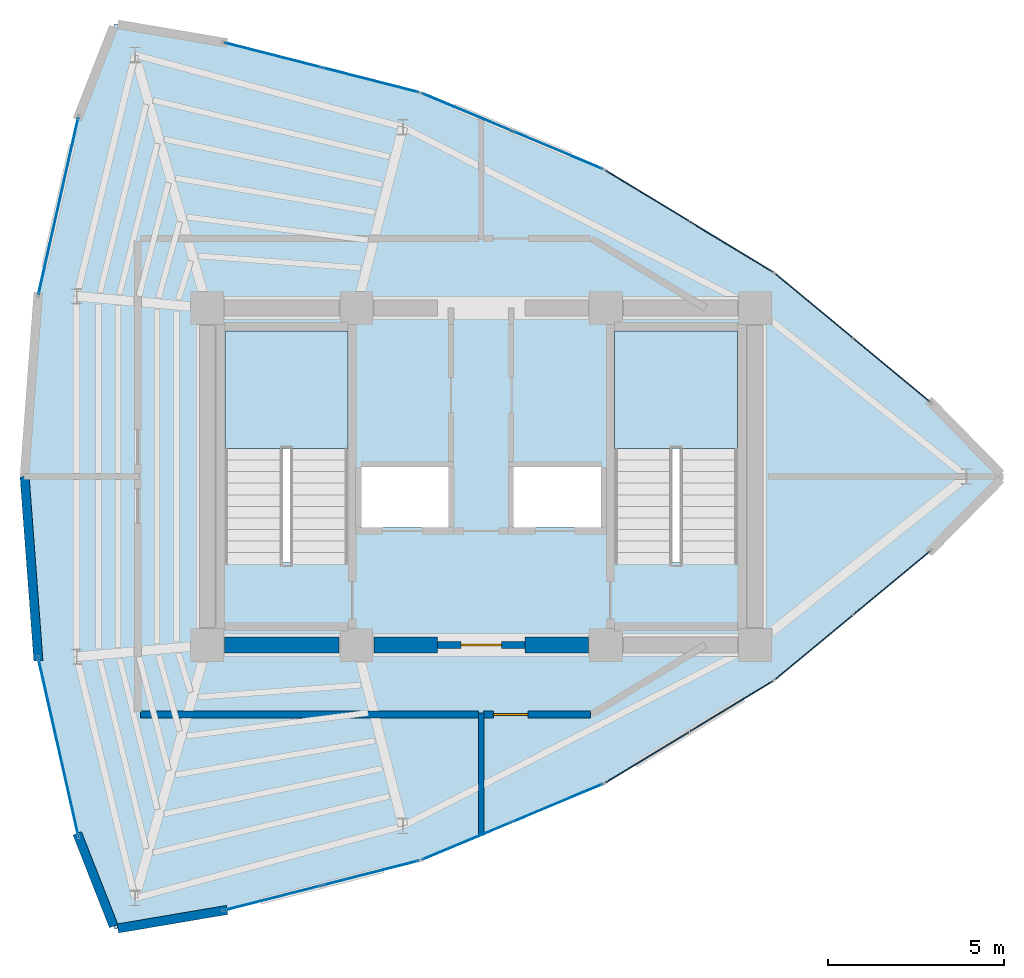
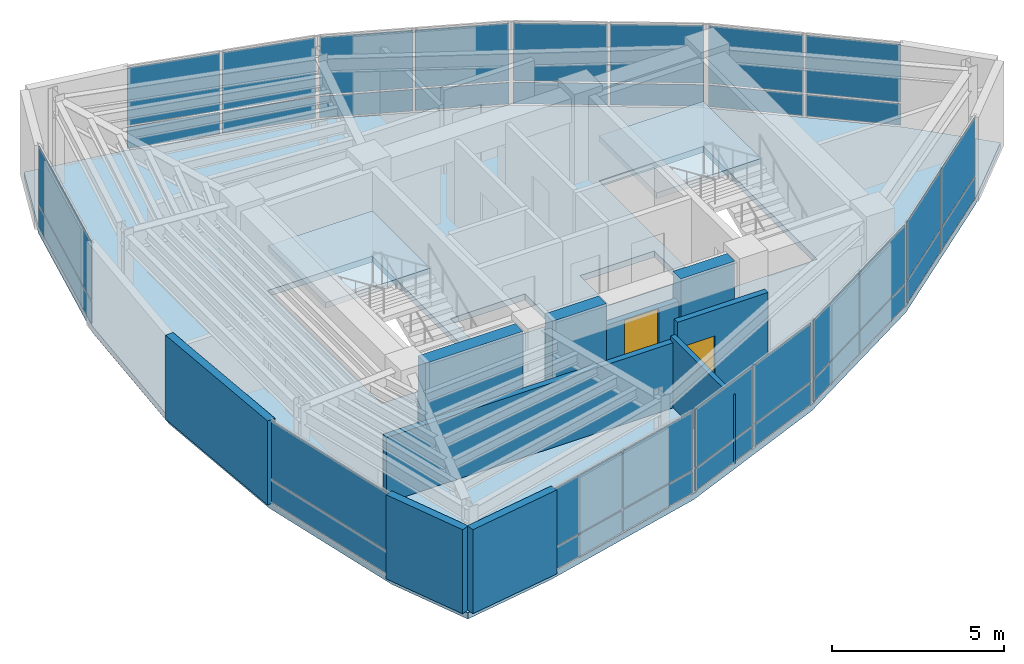
# One storey, part 11 of 14: 36 plates, 10 walls, 3 slabs, 2 doors, 2 openings, 12 elements without a shape of their own.
"""IFC4 building model written with IfcOpenShell, lengths in metres."""

from ifc_helpers import new_model, si_unit, direction, frame, frame_2d, origin, origin_2d, place, context, subcontext, project, spatial, polyline, rectangle, outline, extrude, material, layer, layer_set, type_object, element, fill, aggregate, save


model = new_model("IFC4")

# Units and contexts
model_context = context("Model", 3, precision=1e-05, world=origin(), true_north=direction((0.0, 1.0)))
body_context = subcontext(model_context, "Body", "Model", "MODEL_VIEW")
ifc_project = project(units=[si_unit("LENGTHUNIT", "METRE"), si_unit("AREAUNIT", "SQUARE_METRE"), si_unit("VOLUMEUNIT", "CUBIC_METRE"), si_unit("PLANEANGLEUNIT", "RADIAN"), si_unit("MASSUNIT", "GRAM", prefix="KILO")], contexts=[model_context])

# Site, building, storey
site_placement = place(None, origin())
site = spatial("IfcSite", under=ifc_project, at=site_placement, CompositionType="ELEMENT")
building_placement = place(site_placement, origin())
building = spatial("IfcBuilding", under=site, at=building_placement, Name="Menara Vayukalpa", CompositionType="ELEMENT")
storey_placement = place(building_placement, frame((0.0, 0.0, 302.419921875)))
storey = spatial("IfcBuildingStorey", under=building, at=storey_placement, Name="L77", CompositionType="ELEMENT", Elevation=302.419921875)

# Curtain wall, plates
ifc_material_1 = material(Name="Anodised Terracotta Aluminium Alloy 6063-T6", Category="masonry")
ifc_layer_1 = layer(ifc_material_1, 0.14990234375)
ifc_layer_set_1 = layer_set([ifc_layer_1], Name="Anodised Terracotta Aluminium Alloy 6063-T6")
curtain_wall_type = type_object("IfcCurtainWallType", Name="CW-CW7", PredefinedType="USERDEFINED", material=ifc_layer_set_1)
curtain_wall_1_placement = place(storey_placement, origin())
curtain_wall_1 = element("IfcCurtainWall", 1, at=curtain_wall_1_placement, inside=storey, type_object=curtain_wall_type, Name="L77 Crown Drum Screened Curtain Wall CW7 03", ObjectType="UNITISED", PredefinedType="USERDEFINED")
ifc_material_2 = material(Name="Low-E Double Glazing", Category="glass")
ifc_layer_2 = layer(ifc_material_2, 0.02587890625)
ifc_layer_set_2 = layer_set([ifc_layer_2], Name="Low-E Double Glazing")
plate_type = type_object("IfcPlateType", Name="CWP-CW7", PredefinedType="CURTAIN_PANEL", material=ifc_layer_set_2)
plate_1_placement = place(storey_placement, frame((37.28271484375, 25.031982421875, 0.06005859375), z_axis=(0.0, 0.0, 1.0), x_axis=(-0.7697490702, 0.63834658997, 0.0)))
plate_1 = element("IfcPlate", 2, at=plate_1_placement, type_object=plate_type, Name="CW7 panel 1.1", PredefinedType="CURTAIN_PANEL", context=body_context, shape_type="SweptSolid", body=[
    extrude(rectangle(XDim=2.80078125, YDim=0.02587890625, at=origin_2d()), origin(), (0.0, 0.0, 1.0), 0.760009765625),
])
plate_2_placement = place(storey_placement, frame((37.28271484375, 25.031982421875, 0.880126953125), z_axis=(0.0, 0.0, 1.0), x_axis=(-0.7697490702, 0.63834658997, 0.0)))
plate_2 = element("IfcPlate", 3, at=plate_2_placement, type_object=plate_type, Name="CW7 panel 1.2", PredefinedType="CURTAIN_PANEL", context=body_context, shape_type="SweptSolid", body=[
    extrude(rectangle(XDim=2.80078125, YDim=0.02587890625, at=origin_2d()), origin(), (0.0, 0.0, 1.0), 2.0400390625),
])
plate_3_placement = place(storey_placement, frame((35.07666015625, 26.861328125, 0.06005859375), z_axis=(0.0, 0.0, 1.0), x_axis=(-0.7697490702, 0.63834658997, 0.0)))
plate_3 = element("IfcPlate", 4, at=plate_3_placement, type_object=plate_type, Name="CW7 panel 2.1", PredefinedType="CURTAIN_PANEL", context=body_context, shape_type="SweptSolid", body=[
    extrude(rectangle(XDim=2.80078125, YDim=0.02587890625, at=origin_2d()), origin(), (0.0, 0.0, 1.0), 0.760009765625),
])
plate_4_placement = place(storey_placement, frame((35.07666015625, 26.861328125, 0.880126953125), z_axis=(0.0, 0.0, 1.0), x_axis=(-0.7697490702, 0.63834658997, 0.0)))
plate_4 = element("IfcPlate", 5, at=plate_4_placement, type_object=plate_type, Name="CW7 panel 2.2", PredefinedType="CURTAIN_PANEL", context=body_context, shape_type="SweptSolid", body=[
    extrude(rectangle(XDim=2.80078125, YDim=0.02587890625, at=origin_2d()), origin(), (0.0, 0.0, 1.0), 2.0400390625),
])
aggregate(curtain_wall_1, [plate_1, plate_2, plate_3, plate_4])

curtain_wall_2_placement = place(storey_placement, origin())
curtain_wall_2 = element("IfcCurtainWall", 6, at=curtain_wall_2_placement, inside=storey, type_object=curtain_wall_type, Name="L77 Crown Drum Screened Curtain Wall CW7 04", ObjectType="UNITISED", PredefinedType="USERDEFINED")
plate_5_placement = place(storey_placement, frame((32.72314453125, 28.541259765625, 0.06005859375), z_axis=(0.0, 0.0, 1.0), x_axis=(-0.854667083096, 0.519176441176, 0.0)))
plate_5 = element("IfcPlate", 7, at=plate_5_placement, type_object=plate_type, Name="CW7 panel 1.1", PredefinedType="CURTAIN_PANEL", context=body_context, shape_type="SweptSolid", body=[
    extrude(rectangle(XDim=2.738037109375, YDim=0.02587890625, at=origin_2d()), origin(), (0.0, 0.0, 1.0), 0.760009765625),
])
plate_6_placement = place(storey_placement, frame((32.72314453125, 28.541259765625, 0.880126953125), z_axis=(0.0, 0.0, 1.0), x_axis=(-0.854667083096, 0.519176441176, 0.0)))
plate_6 = element("IfcPlate", 8, at=plate_6_placement, type_object=plate_type, Name="CW7 panel 1.2", PredefinedType="CURTAIN_PANEL", context=body_context, shape_type="SweptSolid", body=[
    extrude(rectangle(XDim=2.738037109375, YDim=0.02587890625, at=origin_2d()), origin(), (0.0, 0.0, 1.0), 2.0400390625),
])
plate_7_placement = place(storey_placement, frame((30.327392578125, 29.99658203125, 0.06005859375), z_axis=(0.0, 0.0, 1.0), x_axis=(-0.854667083096, 0.519176441176, 0.0)))
plate_7 = element("IfcPlate", 9, at=plate_7_placement, type_object=plate_type, Name="CW7 panel 2.1", PredefinedType="CURTAIN_PANEL", context=body_context, shape_type="SweptSolid", body=[
    extrude(rectangle(XDim=2.738037109375, YDim=0.02587890625, at=origin_2d()), origin(), (0.0, 0.0, 1.0), 0.760009765625),
])
plate_8_placement = place(storey_placement, frame((30.327392578125, 29.99658203125, 0.880126953125), z_axis=(0.0, 0.0, 1.0), x_axis=(-0.854667083096, 0.519176441176, 0.0)))
plate_8 = element("IfcPlate", 10, at=plate_8_placement, type_object=plate_type, Name="CW7 panel 2.2", PredefinedType="CURTAIN_PANEL", context=body_context, shape_type="SweptSolid", body=[
    extrude(rectangle(XDim=2.738037109375, YDim=0.02587890625, at=origin_2d()), origin(), (0.0, 0.0, 1.0), 2.0400390625),
])
aggregate(curtain_wall_2, [plate_5, plate_6, plate_7, plate_8])

curtain_wall_3_placement = place(storey_placement, origin())
curtain_wall_3 = element("IfcCurtainWall", 11, at=curtain_wall_3_placement, inside=storey, type_object=curtain_wall_type, Name="L77 Crown Drum Screened Curtain Wall CW7 05", ObjectType="UNITISED", PredefinedType="USERDEFINED")
plate_9_placement = place(storey_placement, frame((27.77880859375, 31.29443359375, 0.06005859375), z_axis=(0.0, 0.0, 1.0), x_axis=(-0.922541302191, 0.385898361946, 0.0)))
plate_9 = element("IfcPlate", 12, at=plate_9_placement, type_object=plate_type, Name="CW7 panel 1.1", PredefinedType="CURTAIN_PANEL", context=body_context, shape_type="SweptSolid", body=[
    extrude(rectangle(XDim=2.738037109375, YDim=0.02587890625, at=origin_2d()), origin(), (0.0, 0.0, 1.0), 0.760009765625),
])
plate_10_placement = place(storey_placement, frame((27.77880859375, 31.29443359375, 0.880126953125), z_axis=(0.0, 0.0, 1.0), x_axis=(-0.922541302191, 0.385898361946, 0.0)))
plate_10 = element("IfcPlate", 13, at=plate_10_placement, type_object=plate_type, Name="CW7 panel 1.2", PredefinedType="CURTAIN_PANEL", context=body_context, shape_type="SweptSolid", body=[
    extrude(rectangle(XDim=2.738037109375, YDim=0.02587890625, at=origin_2d()), origin(), (0.0, 0.0, 1.0), 2.0400390625),
])
plate_11_placement = place(storey_placement, frame((25.19287109375, 32.376220703125, 0.06005859375), z_axis=(0.0, 0.0, 1.0), x_axis=(-0.922541302191, 0.385898361946, 0.0)))
plate_11 = element("IfcPlate", 14, at=plate_11_placement, type_object=plate_type, Name="CW7 panel 2.1", PredefinedType="CURTAIN_PANEL", context=body_context, shape_type="SweptSolid", body=[
    extrude(rectangle(XDim=2.738037109375, YDim=0.02587890625, at=origin_2d()), origin(), (0.0, 0.0, 1.0), 0.760009765625),
])
plate_12_placement = place(storey_placement, frame((25.19287109375, 32.376220703125, 0.880126953125), z_axis=(0.0, 0.0, 1.0), x_axis=(-0.922541302191, 0.385898361946, 0.0)))
plate_12 = element("IfcPlate", 15, at=plate_12_placement, type_object=plate_type, Name="CW7 panel 2.2", PredefinedType="CURTAIN_PANEL", context=body_context, shape_type="SweptSolid", body=[
    extrude(rectangle(XDim=2.738037109375, YDim=0.02587890625, at=origin_2d()), origin(), (0.0, 0.0, 1.0), 2.0400390625),
])
aggregate(curtain_wall_3, [plate_9, plate_10, plate_11, plate_12])

curtain_wall_4_placement = place(storey_placement, origin())
curtain_wall_4 = element("IfcCurtainWall", 16, at=curtain_wall_4_placement, inside=storey, type_object=curtain_wall_type, Name="L77 Crown Drum Screened Curtain Wall CW7 06", ObjectType="UNITISED", PredefinedType="USERDEFINED")
plate_13_placement = place(storey_placement, frame((22.449951171875, 33.291748046875, 0.06005859375), z_axis=(0.0, 0.0, 1.0), x_axis=(-0.968983924097, 0.247123764219, 0.0)))
plate_13 = element("IfcPlate", 17, at=plate_13_placement, type_object=plate_type, Name="CW7 panel 1.1", PredefinedType="CURTAIN_PANEL", context=body_context, shape_type="SweptSolid", body=[
    extrude(rectangle(XDim=2.80078125, YDim=0.02587890625, at=origin_2d()), origin(), (0.0, 0.0, 1.0), 0.760009765625),
])
plate_14_placement = place(storey_placement, frame((22.449951171875, 33.291748046875, 0.880126953125), z_axis=(0.0, 0.0, 1.0), x_axis=(-0.968983924097, 0.247123764219, 0.0)))
plate_14 = element("IfcPlate", 18, at=plate_14_placement, type_object=plate_type, Name="CW7 panel 1.2", PredefinedType="CURTAIN_PANEL", context=body_context, shape_type="SweptSolid", body=[
    extrude(rectangle(XDim=2.80078125, YDim=0.02587890625, at=origin_2d()), origin(), (0.0, 0.0, 1.0), 2.0400390625),
])
plate_15_placement = place(storey_placement, frame((19.6728515625, 34.0, 0.06005859375), z_axis=(0.0, 0.0, 1.0), x_axis=(-0.968983924097, 0.247123764219, 0.0)))
plate_15 = element("IfcPlate", 19, at=plate_15_placement, type_object=plate_type, Name="CW7 panel 2.1", PredefinedType="CURTAIN_PANEL", context=body_context, shape_type="SweptSolid", body=[
    extrude(rectangle(XDim=2.80078125, YDim=0.02587890625, at=origin_2d()), origin(), (0.0, 0.0, 1.0), 0.760009765625),
])
plate_16_placement = place(storey_placement, frame((19.6728515625, 34.0, 0.880126953125), z_axis=(0.0, 0.0, 1.0), x_axis=(-0.968983924097, 0.247123764219, 0.0)))
plate_16 = element("IfcPlate", 20, at=plate_16_placement, type_object=plate_type, Name="CW7 panel 2.2", PredefinedType="CURTAIN_PANEL", context=body_context, shape_type="SweptSolid", body=[
    extrude(rectangle(XDim=2.80078125, YDim=0.02587890625, at=origin_2d()), origin(), (0.0, 0.0, 1.0), 2.0400390625),
])
aggregate(curtain_wall_4, [plate_13, plate_14, plate_15, plate_16])

curtain_wall_5_placement = place(storey_placement, origin())
curtain_wall_5 = element("IfcCurtainWall", 21, at=curtain_wall_5_placement, inside=storey, type_object=curtain_wall_type, Name="L77 Crown Drum Screened Curtain Wall CW7 09", ObjectType="UNITISED", PredefinedType="USERDEFINED")
plate_17_placement = place(storey_placement, frame((13.558837890625, 29.69921875, 0.06005859375), z_axis=(0.0, 0.0, 1.0), x_axis=(-0.219515813421, -0.975608941973, 0.0)))
plate_17 = element("IfcPlate", 22, at=plate_17_placement, type_object=plate_type, Name="CW7 panel 1.1", PredefinedType="CURTAIN_PANEL", context=body_context, shape_type="SweptSolid", body=[
    extrude(rectangle(XDim=5.131103515625, YDim=0.02587890625, at=origin_2d()), origin(), (0.0, 0.0, 1.0), 0.760009765625),
])
plate_18_placement = place(storey_placement, frame((13.558837890625, 29.69921875, 0.880126953125), z_axis=(0.0, 0.0, 1.0), x_axis=(-0.219515813421, -0.975608941973, 0.0)))
plate_18 = element("IfcPlate", 23, at=plate_18_placement, type_object=plate_type, Name="CW7 panel 1.2", PredefinedType="CURTAIN_PANEL", context=body_context, shape_type="SweptSolid", body=[
    extrude(rectangle(XDim=5.131103515625, YDim=0.02587890625, at=origin_2d()), origin(), (0.0, 0.0, 1.0), 2.0400390625),
])
aggregate(curtain_wall_5, [plate_17, plate_18])

curtain_wall_6_placement = place(storey_placement, origin())
curtain_wall_6 = element("IfcCurtainWall", 24, at=curtain_wall_6_placement, inside=storey, type_object=curtain_wall_type, Name="L77 Crown Drum Screened Curtain Wall CW7 12", ObjectType="UNITISED", PredefinedType="USERDEFINED")
plate_19_placement = place(storey_placement, frame((13.558837890625, 14.30078125, 0.06005859375), z_axis=(0.0, 0.0, 1.0), x_axis=(0.219515813421, -0.975608941973, 0.0)))
plate_19 = element("IfcPlate", 25, at=plate_19_placement, type_object=plate_type, Name="CW7 panel 1.1", PredefinedType="CURTAIN_PANEL", context=body_context, shape_type="SweptSolid", body=[
    extrude(rectangle(XDim=5.131103515625, YDim=0.02587890625, at=origin_2d()), origin(), (0.0, 0.0, 1.0), 0.760009765625),
])
plate_20_placement = place(storey_placement, frame((13.558837890625, 14.30078125, 0.880126953125), z_axis=(0.0, 0.0, 1.0), x_axis=(0.219515813421, -0.975608941973, 0.0)))
plate_20 = element("IfcPlate", 26, at=plate_20_placement, type_object=plate_type, Name="CW7 panel 1.2", PredefinedType="CURTAIN_PANEL", context=body_context, shape_type="SweptSolid", body=[
    extrude(rectangle(XDim=5.131103515625, YDim=0.02587890625, at=origin_2d()), origin(), (0.0, 0.0, 1.0), 2.0400390625),
])
aggregate(curtain_wall_6, [plate_19, plate_20])

curtain_wall_7_placement = place(storey_placement, origin())
curtain_wall_7 = element("IfcCurtainWall", 27, at=curtain_wall_7_placement, inside=storey, type_object=curtain_wall_type, Name="L77 Crown Drum Screened Curtain Wall CW7 15", ObjectType="UNITISED", PredefinedType="USERDEFINED")
plate_21_placement = place(storey_placement, frame((19.6728515625, 10.0, 0.06005859375), z_axis=(0.0, 0.0, 1.0), x_axis=(0.968983924097, 0.247123764219, 0.0)))
plate_21 = element("IfcPlate", 28, at=plate_21_placement, type_object=plate_type, Name="CW7 panel 1.1", PredefinedType="CURTAIN_PANEL", context=body_context, shape_type="SweptSolid", body=[
    extrude(rectangle(XDim=2.80078125, YDim=0.02587890625, at=origin_2d()), origin(), (0.0, 0.0, 1.0), 0.760009765625),
])
plate_22_placement = place(storey_placement, frame((19.6728515625, 10.0, 0.880126953125), z_axis=(0.0, 0.0, 1.0), x_axis=(0.968983924097, 0.247123764219, 0.0)))
plate_22 = element("IfcPlate", 29, at=plate_22_placement, type_object=plate_type, Name="CW7 panel 1.2", PredefinedType="CURTAIN_PANEL", context=body_context, shape_type="SweptSolid", body=[
    extrude(rectangle(XDim=2.80078125, YDim=0.02587890625, at=origin_2d()), origin(), (0.0, 0.0, 1.0), 2.0400390625),
])
plate_23_placement = place(storey_placement, frame((22.449951171875, 10.708251953125, 0.06005859375), z_axis=(0.0, 0.0, 1.0), x_axis=(0.968983924097, 0.247123764219, 0.0)))
plate_23 = element("IfcPlate", 30, at=plate_23_placement, type_object=plate_type, Name="CW7 panel 2.1", PredefinedType="CURTAIN_PANEL", context=body_context, shape_type="SweptSolid", body=[
    extrude(rectangle(XDim=2.80078125, YDim=0.02587890625, at=origin_2d()), origin(), (0.0, 0.0, 1.0), 0.760009765625),
])
plate_24_placement = place(storey_placement, frame((22.449951171875, 10.708251953125, 0.880126953125), z_axis=(0.0, 0.0, 1.0), x_axis=(0.968983924097, 0.247123764219, 0.0)))
plate_24 = element("IfcPlate", 31, at=plate_24_placement, type_object=plate_type, Name="CW7 panel 2.2", PredefinedType="CURTAIN_PANEL", context=body_context, shape_type="SweptSolid", body=[
    extrude(rectangle(XDim=2.80078125, YDim=0.02587890625, at=origin_2d()), origin(), (0.0, 0.0, 1.0), 2.0400390625),
])
aggregate(curtain_wall_7, [plate_21, plate_22, plate_23, plate_24])

curtain_wall_8_placement = place(storey_placement, origin())
curtain_wall_8 = element("IfcCurtainWall", 32, at=curtain_wall_8_placement, inside=storey, type_object=curtain_wall_type, Name="L77 Crown Drum Screened Curtain Wall CW7 16", ObjectType="UNITISED", PredefinedType="USERDEFINED")
plate_25_placement = place(storey_placement, frame((25.19287109375, 11.623779296875, 0.06005859375), z_axis=(0.0, 0.0, 1.0), x_axis=(0.922541302191, 0.385898361946, 0.0)))
plate_25 = element("IfcPlate", 33, at=plate_25_placement, type_object=plate_type, Name="CW7 panel 1.1", PredefinedType="CURTAIN_PANEL", context=body_context, shape_type="SweptSolid", body=[
    extrude(rectangle(XDim=2.738037109375, YDim=0.02587890625, at=origin_2d()), origin(), (0.0, 0.0, 1.0), 0.760009765625),
])
plate_26_placement = place(storey_placement, frame((25.19287109375, 11.623779296875, 0.880126953125), z_axis=(0.0, 0.0, 1.0), x_axis=(0.922541302191, 0.385898361946, 0.0)))
plate_26 = element("IfcPlate", 34, at=plate_26_placement, type_object=plate_type, Name="CW7 panel 1.2", PredefinedType="CURTAIN_PANEL", context=body_context, shape_type="SweptSolid", body=[
    extrude(rectangle(XDim=2.738037109375, YDim=0.02587890625, at=origin_2d()), origin(), (0.0, 0.0, 1.0), 2.0400390625),
])
plate_27_placement = place(storey_placement, frame((27.77880859375, 12.70556640625, 0.06005859375), z_axis=(0.0, 0.0, 1.0), x_axis=(0.922541302191, 0.385898361946, 0.0)))
plate_27 = element("IfcPlate", 35, at=plate_27_placement, type_object=plate_type, Name="CW7 panel 2.1", PredefinedType="CURTAIN_PANEL", context=body_context, shape_type="SweptSolid", body=[
    extrude(rectangle(XDim=2.738037109375, YDim=0.02587890625, at=origin_2d()), origin(), (0.0, 0.0, 1.0), 0.760009765625),
])
plate_28_placement = place(storey_placement, frame((27.77880859375, 12.70556640625, 0.880126953125), z_axis=(0.0, 0.0, 1.0), x_axis=(0.922541302191, 0.385898361946, 0.0)))
plate_28 = element("IfcPlate", 36, at=plate_28_placement, type_object=plate_type, Name="CW7 panel 2.2", PredefinedType="CURTAIN_PANEL", context=body_context, shape_type="SweptSolid", body=[
    extrude(rectangle(XDim=2.738037109375, YDim=0.02587890625, at=origin_2d()), origin(), (0.0, 0.0, 1.0), 2.0400390625),
])
aggregate(curtain_wall_8, [plate_25, plate_26, plate_27, plate_28])

curtain_wall_9_placement = place(storey_placement, origin())
curtain_wall_9 = element("IfcCurtainWall", 37, at=curtain_wall_9_placement, inside=storey, type_object=curtain_wall_type, Name="L77 Crown Drum Screened Curtain Wall CW7 17", ObjectType="UNITISED", PredefinedType="USERDEFINED")
plate_29_placement = place(storey_placement, frame((30.327392578125, 14.00341796875, 0.06005859375), z_axis=(0.0, 0.0, 1.0), x_axis=(0.854667083096, 0.519176441176, 0.0)))
plate_29 = element("IfcPlate", 38, at=plate_29_placement, type_object=plate_type, Name="CW7 panel 1.1", PredefinedType="CURTAIN_PANEL", context=body_context, shape_type="SweptSolid", body=[
    extrude(rectangle(XDim=2.738037109375, YDim=0.02587890625, at=origin_2d()), origin(), (0.0, 0.0, 1.0), 0.760009765625),
])
plate_30_placement = place(storey_placement, frame((30.327392578125, 14.00341796875, 0.880126953125), z_axis=(0.0, 0.0, 1.0), x_axis=(0.854667083096, 0.519176441176, 0.0)))
plate_30 = element("IfcPlate", 39, at=plate_30_placement, type_object=plate_type, Name="CW7 panel 1.2", PredefinedType="CURTAIN_PANEL", context=body_context, shape_type="SweptSolid", body=[
    extrude(rectangle(XDim=2.738037109375, YDim=0.02587890625, at=origin_2d()), origin(), (0.0, 0.0, 1.0), 2.0400390625),
])
plate_31_placement = place(storey_placement, frame((32.72314453125, 15.458740234375, 0.06005859375), z_axis=(0.0, 0.0, 1.0), x_axis=(0.854667083096, 0.519176441176, 0.0)))
plate_31 = element("IfcPlate", 40, at=plate_31_placement, type_object=plate_type, Name="CW7 panel 2.1", PredefinedType="CURTAIN_PANEL", context=body_context, shape_type="SweptSolid", body=[
    extrude(rectangle(XDim=2.738037109375, YDim=0.02587890625, at=origin_2d()), origin(), (0.0, 0.0, 1.0), 0.760009765625),
])
plate_32_placement = place(storey_placement, frame((32.72314453125, 15.458740234375, 0.880126953125), z_axis=(0.0, 0.0, 1.0), x_axis=(0.854667083096, 0.519176441176, 0.0)))
plate_32 = element("IfcPlate", 41, at=plate_32_placement, type_object=plate_type, Name="CW7 panel 2.2", PredefinedType="CURTAIN_PANEL", context=body_context, shape_type="SweptSolid", body=[
    extrude(rectangle(XDim=2.738037109375, YDim=0.02587890625, at=origin_2d()), origin(), (0.0, 0.0, 1.0), 2.0400390625),
])
aggregate(curtain_wall_9, [plate_29, plate_30, plate_31, plate_32])

curtain_wall_10_placement = place(storey_placement, origin())
curtain_wall_10 = element("IfcCurtainWall", 42, at=curtain_wall_10_placement, inside=storey, type_object=curtain_wall_type, Name="L77 Crown Drum Screened Curtain Wall CW7 18", ObjectType="UNITISED", PredefinedType="USERDEFINED")
plate_33_placement = place(storey_placement, frame((35.07666015625, 17.138671875, 0.06005859375), z_axis=(0.0, 0.0, 1.0), x_axis=(0.7697490702, 0.63834658997, 0.0)))
plate_33 = element("IfcPlate", 43, at=plate_33_placement, type_object=plate_type, Name="CW7 panel 1.1", PredefinedType="CURTAIN_PANEL", context=body_context, shape_type="SweptSolid", body=[
    extrude(rectangle(XDim=2.80078125, YDim=0.02587890625, at=origin_2d()), origin(), (0.0, 0.0, 1.0), 0.760009765625),
])
plate_34_placement = place(storey_placement, frame((35.07666015625, 17.138671875, 0.880126953125), z_axis=(0.0, 0.0, 1.0), x_axis=(0.7697490702, 0.63834658997, 0.0)))
plate_34 = element("IfcPlate", 44, at=plate_34_placement, type_object=plate_type, Name="CW7 panel 1.2", PredefinedType="CURTAIN_PANEL", context=body_context, shape_type="SweptSolid", body=[
    extrude(rectangle(XDim=2.80078125, YDim=0.02587890625, at=origin_2d()), origin(), (0.0, 0.0, 1.0), 2.0400390625),
])
plate_35_placement = place(storey_placement, frame((37.28271484375, 18.968017578125, 0.06005859375), z_axis=(0.0, 0.0, 1.0), x_axis=(0.7697490702, 0.63834658997, 0.0)))
plate_35 = element("IfcPlate", 45, at=plate_35_placement, type_object=plate_type, Name="CW7 panel 2.1", PredefinedType="CURTAIN_PANEL", context=body_context, shape_type="SweptSolid", body=[
    extrude(rectangle(XDim=2.80078125, YDim=0.02587890625, at=origin_2d()), origin(), (0.0, 0.0, 1.0), 0.760009765625),
])
plate_36_placement = place(storey_placement, frame((37.28271484375, 18.968017578125, 0.880126953125), z_axis=(0.0, 0.0, 1.0), x_axis=(0.7697490702, 0.63834658997, 0.0)))
plate_36 = element("IfcPlate", 46, at=plate_36_placement, type_object=plate_type, Name="CW7 panel 2.2", PredefinedType="CURTAIN_PANEL", context=body_context, shape_type="SweptSolid", body=[
    extrude(rectangle(XDim=2.80078125, YDim=0.02587890625, at=origin_2d()), origin(), (0.0, 0.0, 1.0), 2.0400390625),
])
aggregate(curtain_wall_10, [plate_33, plate_34, plate_35, plate_36])

# Slab
ifc_material_3 = material(Name="Concrete C40/50", Category="concrete")
ifc_layer_3 = layer(ifc_material_3, 0.219970703125)
ifc_layer_set_3 = layer_set([ifc_layer_3], Name="Concrete C40/50")
slab_type_1 = type_object("IfcSlabType", Name="SLB-FL220", PredefinedType="FLOOR", material=ifc_layer_set_3)
slab_1_placement = place(storey_placement, frame((0.0, 0.0, -0.219970703125)))
element("IfcSlab", 47, at=slab_1_placement, inside=storey, type_object=slab_type_1, Name="L77 Structural Floor Slab", PredefinedType="FLOOR", context=body_context, shape_type="SweptSolid", body=[
    extrude(outline(polyline([(38.41064453125, 19.903564453125), (40.468994140625, 22.0), (38.41064453125, 24.096435546875), (33.94873046875, 27.796875), (29.101806640625, 30.7412109375), (23.869873046875, 32.9296875), (18.2529296875, 34.362060546875), (15.16552734375, 34.88623046875), (14.13623046875, 32.265625), (12.9814453125, 27.1328125), (12.596435546875, 22.0), (12.9814453125, 16.8671875), (14.13623046875, 11.734375), (15.16552734375, 9.11376953125), (18.2529296875, 9.637939453125), (23.869873046875, 11.0703125), (29.101806640625, 13.2587890625), (33.94873046875, 16.203125), (38.41064453125, 19.903564453125)]), holes=[polyline([(21.800048828125, 19.550048828125), (21.800048828125, 26.14990234375), (18.300048828125, 26.14990234375), (18.300048828125, 19.550048828125), (21.800048828125, 19.550048828125)]), polyline([(32.89990234375, 19.550048828125), (32.89990234375, 26.14990234375), (29.39990234375, 26.14990234375), (29.39990234375, 19.550048828125), (32.89990234375, 19.550048828125)]), polyline([(22.179931640625, 20.550048828125), (24.679931640625, 20.550048828125), (24.679931640625, 22.27001953125), (22.179931640625, 22.27001953125), (22.179931640625, 20.550048828125)]), polyline([(26.52001953125, 20.550048828125), (29.02001953125, 20.550048828125), (29.02001953125, 22.27001953125), (26.52001953125, 22.27001953125), (26.52001953125, 20.550048828125)])]), origin(), (0.0, 0.0, 1.0), 0.219970703125),
])

# Stair, slab
ifc_material_4 = material(Name="Precast Concrete C40/50", Category="concrete")
stair_type = type_object("IfcStairType", Name="STR-T07", PredefinedType="DOUBLE_RETURN_STAIR", material=ifc_material_4)
stair_1_placement = place(storey_placement, origin())
stair_1 = element("IfcStair", 48, at=stair_1_placement, inside=storey, type_object=stair_type, Name="L77 Core Exit Stair ST-1", PredefinedType="DOUBLE_RETURN_STAIR")
ifc_material_5 = material(Name="Precast Concrete C40/50", Category="concrete")
ifc_layer_4 = layer(ifc_material_5, 0.199951171875)
ifc_layer_set_4 = layer_set([ifc_layer_4], Name="Precast Concrete C40/50")
slab_type_2 = type_object("IfcSlabType", Name="SLB-LND200", PredefinedType="LANDING", material=ifc_layer_set_4)
slab_2_placement = place(storey_placement, frame((0.0, 0.0, 1.400146484375)))
slab_2 = element("IfcSlab", 49, at=slab_2_placement, type_object=slab_type_2, Name="ST-1 landing 1", PredefinedType="LANDING", context=body_context, shape_type="SweptSolid", body=[
    extrude(outline(polyline([(21.800048828125, 22.800048828125), (21.800048828125, 26.14990234375), (18.300048828125, 26.14990234375), (18.300048828125, 22.800048828125), (21.800048828125, 22.800048828125)])), origin(), (0.0, 0.0, 1.0), 0.199951171875),
])
aggregate(stair_1, [slab_2])

stair_2_placement = place(storey_placement, origin())
stair_2 = element("IfcStair", 50, at=stair_2_placement, inside=storey, type_object=stair_type, Name="L77 Core Exit Stair ST-2", PredefinedType="DOUBLE_RETURN_STAIR")
slab_3_placement = place(storey_placement, frame((0.0, 0.0, 1.400146484375)))
slab_3 = element("IfcSlab", 51, at=slab_3_placement, type_object=slab_type_2, Name="ST-2 landing 1", PredefinedType="LANDING", context=body_context, shape_type="SweptSolid", body=[
    extrude(outline(polyline([(32.89990234375, 22.800048828125), (32.89990234375, 26.14990234375), (29.39990234375, 26.14990234375), (29.39990234375, 22.800048828125), (32.89990234375, 22.800048828125)])), origin(), (0.0, 0.0, 1.0), 0.199951171875),
])
aggregate(stair_2, [slab_3])

# Walls
ifc_material_6 = material(Name="Concrete C50/60", Category="concrete")
ifc_layer_5 = layer(ifc_material_6, 0.449951171875)
ifc_layer_set_5 = layer_set([ifc_layer_5], Name="Concrete C50/60")
wall_type_1 = type_object("IfcWallType", Name="WAL-CW450", PredefinedType="SHEAR", material=ifc_layer_set_5)
wall_1_placement = place(storey_placement, frame((18.294921875, 17.199951171875, 0.0), z_axis=(0.0, 0.0, 1.0), x_axis=(1.0, 0.0, 0.0)))
element("IfcWall", 52, at=wall_1_placement, inside=storey, type_object=wall_type_1, Name="L77 Buttressed Core Shear Wall CWS1", PredefinedType="SHEAR", context=body_context, shape_type="SweptSolid", body=[
    extrude(rectangle(XDim=3.260009765625, YDim=0.449951171875, at=frame_2d((1.6298828125, 0.0))), origin(), (0.0, 0.0, 1.0), 2.97998046875),
])
wall_2_placement = place(storey_placement, frame((22.544921875, 17.199951171875, 0.0), z_axis=(0.0, 0.0, 1.0), x_axis=(1.0, 0.0, 0.0)))
element("IfcWall", 53, at=wall_2_placement, inside=storey, type_object=wall_type_1, Name="L77 Buttressed Core Shear Wall CWS2", PredefinedType="SHEAR", context=body_context, shape_type="SweptSolid", body=[
    extrude(rectangle(XDim=1.80517578125, YDim=0.449951171875, at=frame_2d((0.902587890625, 0.0))), origin(), (0.0, 0.0, 1.0), 2.97998046875),
])
wall_3_placement = place(storey_placement, frame((26.85009765625, 17.199951171875, 0.0), z_axis=(0.0, 0.0, 1.0), x_axis=(1.0, 0.0, 0.0)))
element("IfcWall", 54, at=wall_3_placement, inside=storey, type_object=wall_type_1, Name="L77 Buttressed Core Shear Wall CWS3", PredefinedType="SHEAR", context=body_context, shape_type="SweptSolid", body=[
    extrude(rectangle(XDim=1.804931640625, YDim=0.449951171875, at=frame_2d((0.90234375, 0.0))), origin(), (0.0, 0.0, 1.0), 2.97998046875),
])
ifc_material_7 = material(Name="Insulated Precast Concrete C40/50", Category="concrete")
ifc_layer_6 = layer(ifc_material_7, 0.260009765625)
ifc_layer_set_6 = layer_set([ifc_layer_6], Name="Insulated Precast Concrete C40/50")
wall_type_2 = type_object("IfcWallType", Name="WAL-EXT260", PredefinedType="PARTITIONING", material=ifc_layer_set_6)
wall_4_placement = place(storey_placement, frame((12.989501953125, 16.757568359375, 0.0), z_axis=(0.0, 0.0, 1.0), x_axis=(-0.074768012725, 0.99720095481, 0.0)))
element("IfcWall", 55, at=wall_4_placement, inside=storey, type_object=wall_type_2, Name="L77 Perimeter Terracotta Pier Wall 11", PredefinedType="PARTITIONING", context=body_context, shape_type="SweptSolid", body=[
    extrude(rectangle(XDim=5.257080078125, YDim=0.260009765625, at=frame_2d((2.62841796875, 0.0))), origin(), (0.0, 0.0, 1.0), 2.97998046875),
])
wall_5_placement = place(storey_placement, frame((15.133544921875, 9.195068359375, 0.0), z_axis=(0.0, 0.0, 1.0), x_axis=(-0.365495346637, 0.930813166853, 0.0)))
element("IfcWall", 56, at=wall_5_placement, inside=storey, type_object=wall_type_2, Name="L77 Perimeter Terracotta Pier Wall 13", PredefinedType="PARTITIONING", context=body_context, shape_type="SweptSolid", body=[
    extrude(rectangle(XDim=2.838134765625, YDim=0.260009765625, at=frame_2d((1.4189453125, 0.0))), origin(), (0.0, 0.0, 1.0), 2.97998046875),
])
wall_6_placement = place(storey_placement, frame((18.366455078125, 9.656982421875, 0.0), z_axis=(0.0, 0.0, 1.0), x_axis=(-0.985905089134, -0.167305574383, 0.0)))
element("IfcWall", 57, at=wall_6_placement, inside=storey, type_object=wall_type_2, Name="L77 Perimeter Terracotta Pier Wall 14", PredefinedType="PARTITIONING", context=body_context, shape_type="SweptSolid", body=[
    extrude(rectangle(XDim=3.1591796875, YDim=0.260009765625, at=frame_2d((1.57958984375, 0.0))), origin(), (0.0, 0.0, 1.0), 2.97998046875),
])
ifc_material_8 = material(Name="Lightweight Concrete Blockwork C16/20", Category="masonry")
ifc_layer_7 = layer(ifc_material_8, 0.159912109375)
ifc_layer_set_7 = layer_set([ifc_layer_7], Name="Lightweight Concrete Blockwork C16/20")
wall_type_3 = type_object("IfcWallType", Name="WAL-FR150", PredefinedType="PARTITIONING", material=ifc_layer_set_7)
wall_7_placement = place(storey_placement, frame((25.60009765625, 11.783203125, 0.0), z_axis=(0.0, 0.0, 1.0), x_axis=(0.0, 1.0, 0.0)))
element("IfcWall", 58, at=wall_7_placement, inside=storey, type_object=wall_type_3, Name="L77 Interior Partition IW-L77-RDIV01", PredefinedType="PARTITIONING", context=body_context, shape_type="SweptSolid", body=[
    extrude(rectangle(XDim=3.48681640625, YDim=0.159912109375, at=frame_2d((1.743408203125, 0.0))), origin(), (0.0, 0.0, 1.0), 2.4599609375),
])

# Wall, opening, door
ifc_material_9 = material(Name="Lightweight Concrete Blockwork C16/20", Category="masonry")
ifc_layer_8 = layer(ifc_material_9, 0.199951171875)
ifc_layer_set_8 = layer_set([ifc_layer_8], Name="Lightweight Concrete Blockwork C16/20")
wall_type_4 = type_object("IfcWallType", Name="WAL-FR200", PredefinedType="PARTITIONING", material=ifc_layer_set_8)
wall_8_placement = place(storey_placement, frame((24.35009765625, 17.199951171875, 0.0), z_axis=(0.0, 0.0, 1.0), x_axis=(1.0, 0.0, 0.0)))
wall_8 = element("IfcWall", 59, at=wall_8_placement, inside=storey, type_object=wall_type_4, Name="L77 Interior Partition IW-L77-FFLS", PredefinedType="PARTITIONING", context=body_context, shape_type="SweptSolid", body=[
    extrude(rectangle(XDim=2.5, YDim=0.199951171875, at=frame_2d((1.25, 0.0))), origin(), (0.0, 0.0, 1.0), 2.110107421875),
])
opening_1_placement = place(wall_8_placement, frame((0.679931640625, 0.0, 0.0)))
opening_1 = element("IfcOpeningElement", 60, at=opening_1_placement, cuts=wall_8, Name="Opening ID2", PredefinedType="OPENING", context=body_context, shape_type="SweptSolid", body=[
    extrude(rectangle(XDim=1.14990234375, YDim=2.080078125, at=frame_2d((0.574951171875, 1.0400390625))), frame((0.0, 0.10986328125, 0.0), z_axis=(0.0, -1.0, 0.0), x_axis=(1.0, 0.0, 0.0)), (0.0, 0.0, 1.0), 0.219970703125),
])
ifc_material_10 = material(Name="Fire-Rated Powder-Coated Steel Door", Category="steel")
door_type_1 = type_object("IfcDoorType", Name="DR-FD60W", OperationType="NOTDEFINED", PredefinedType="DOOR", material=ifc_material_10)
door_1_placement = place(opening_1_placement, origin())
door_1 = element("IfcDoor", 61, at=door_1_placement, inside=storey, type_object=door_type_1, Name="L77 Interior Door DR-L77-FFLS", OperationType="SINGLE_SWING_LEFT", OverallHeight=2.080078125, OverallWidth=1.14990234375, PredefinedType="DOOR", context=body_context, shape_type="SweptSolid", body=[
    extrude(rectangle(XDim=1.14990234375, YDim=2.080078125, at=frame_2d((0.574951171875, 1.0400390625))), frame((0.0, 0.02490234375, 0.0), z_axis=(0.0, -1.0, 0.0), x_axis=(1.0, 0.0, 0.0)), (0.0, 0.0, 1.0), 0.050048828125),
])
fill(opening_1, door_1)

# Wall
wall_9_placement = place(storey_placement, frame((15.89990234375, 15.219970703125, 0.0), z_axis=(0.0, 0.0, 1.0), x_axis=(1.0, 0.0, 0.0)))
element("IfcWall", 62, at=wall_9_placement, inside=storey, type_object=wall_type_4, Name="L77 Interior Partition IW-L77-CRM01-2", PredefinedType="PARTITIONING", context=body_context, shape_type="SweptSolid", body=[
    extrude(rectangle(XDim=9.630126953125, YDim=0.199951171875, at=frame_2d((4.81494140625, 0.0))), origin(), (0.0, 0.0, 1.0), 2.31005859375),
])

# Wall, opening, door
wall_10_placement = place(storey_placement, frame((25.669921875, 15.219970703125, 0.0), z_axis=(0.0, 0.0, 1.0), x_axis=(1.0, 0.0, 0.0)))
wall_10 = element("IfcWall", 63, at=wall_10_placement, inside=storey, type_object=wall_type_4, Name="L77 Interior Partition IW-L77-CRM02-1", PredefinedType="PARTITIONING", context=body_context, shape_type="SweptSolid", body=[
    extrude(rectangle(XDim=3.035888671875, YDim=0.199951171875, at=frame_2d((1.51806640625, 0.0))), origin(), (0.0, 0.0, 1.0), 2.97998046875),
])
opening_2_placement = place(wall_10_placement, frame((0.280029296875, 0.0, 0.0)))
opening_2 = element("IfcOpeningElement", 64, at=opening_2_placement, cuts=wall_10, Name="Opening ID3", PredefinedType="OPENING", context=body_context, shape_type="SweptSolid", body=[
    extrude(rectangle(XDim=0.97998046875, YDim=2.06005859375, at=frame_2d((0.489990234375, 1.030029296875))), frame((0.0, 0.10986328125, 0.0), z_axis=(0.0, -1.0, 0.0), x_axis=(1.0, 0.0, 0.0)), (0.0, 0.0, 1.0), 0.219970703125),
])
ifc_material_11 = material(Name="Fire-Rated Powder-Coated Steel Door", Category="steel")
door_type_2 = type_object("IfcDoorType", Name="DR-FD60", OperationType="NOTDEFINED", PredefinedType="DOOR", material=ifc_material_11)
door_2_placement = place(opening_2_placement, origin())
door_2 = element("IfcDoor", 65, at=door_2_placement, inside=storey, type_object=door_type_2, Name="L77 Interior Door DR-L77-RM02", OperationType="SINGLE_SWING_RIGHT", OverallHeight=2.06005859375, OverallWidth=0.97998046875, PredefinedType="DOOR", context=body_context, shape_type="SweptSolid", body=[
    extrude(rectangle(XDim=0.97998046875, YDim=2.06005859375, at=frame_2d((0.489990234375, 1.030029296875))), frame((0.0, 0.02490234375, 0.0), z_axis=(0.0, -1.0, 0.0), x_axis=(1.0, 0.0, 0.0)), (0.0, 0.0, 1.0), 0.050048828125),
])
fill(opening_2, door_2)

save(model, "model.ifc")
